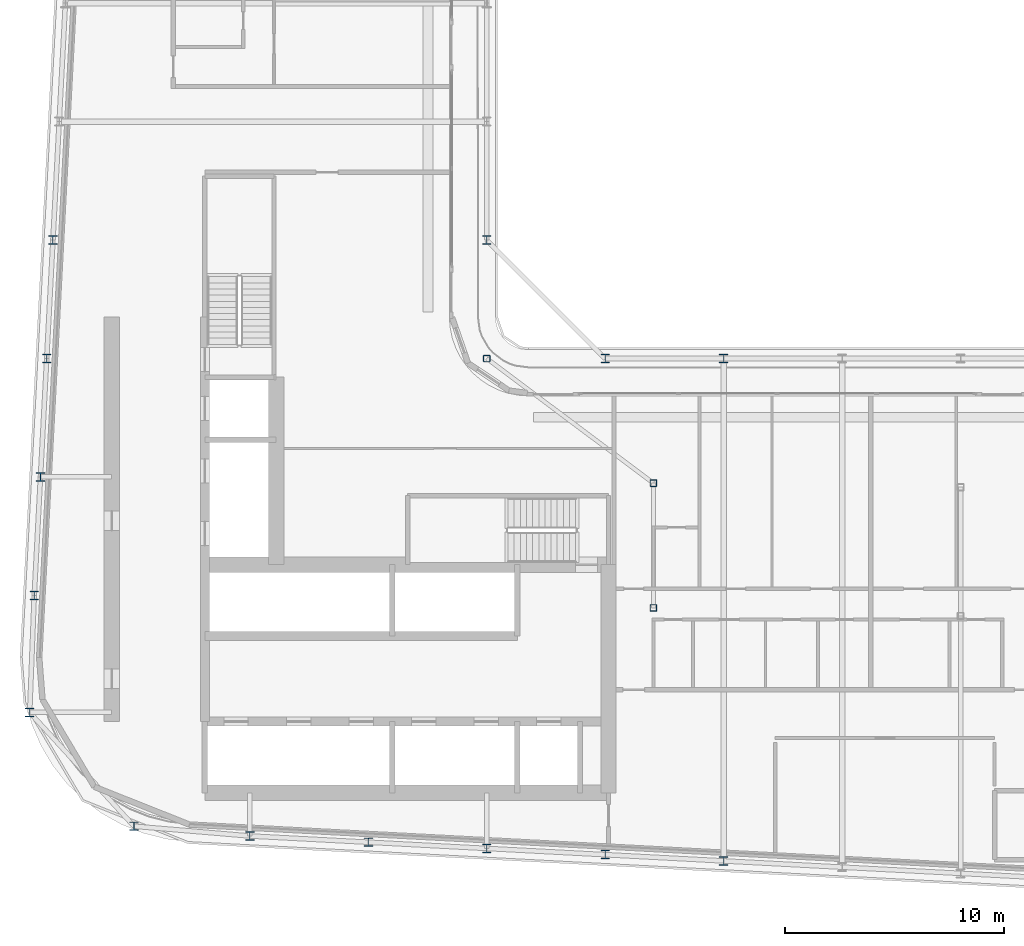
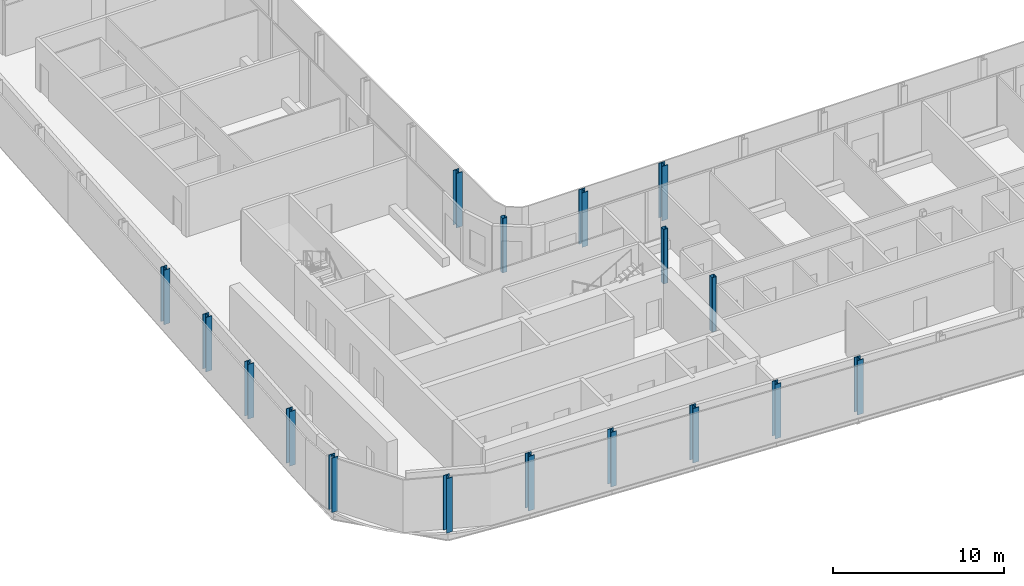
# One storey, part 1 of 21: 17 columns.
"""IFC4 building model written with IfcOpenShell, lengths in metres."""

from ifc_helpers import new_model, si_unit, direction, frame, origin, origin_2d, place, context, subcontext, project, spatial, hollow_rectangle, i_section, extrude, material, material_profile, profile_set, type_object, element, save


model = new_model("IFC4")

# Units and contexts
model_context = context("Model", 3, precision=1e-05, world=origin(), true_north=direction((0.0, 1.0)))
body_context = subcontext(model_context, "Body", "Model", "MODEL_VIEW")
ifc_project = project(units=[si_unit("LENGTHUNIT", "METRE"), si_unit("AREAUNIT", "SQUARE_METRE"), si_unit("VOLUMEUNIT", "CUBIC_METRE"), si_unit("PLANEANGLEUNIT", "RADIAN"), si_unit("MASSUNIT", "GRAM", prefix="KILO")], contexts=[model_context])

# Site, building, storey
site_placement = place(None, origin())
site = spatial("IfcSite", under=ifc_project, at=site_placement, CompositionType="ELEMENT")
building_placement = place(site_placement, origin())
building = spatial("IfcBuilding", under=site, at=building_placement, Name="Kheshtan School and Residences Tower", CompositionType="ELEMENT")
storey_placement = place(building_placement, frame((0.0, 0.0, 231.800048828125)))
storey = spatial("IfcBuildingStorey", under=building, at=storey_placement, Name="L54", CompositionType="ELEMENT", Elevation=231.800048828125)

# Columns
ifc_material_1 = material(Name="Steel ASTM A992 Grade 50", Category="steel")
ifc_material_profile_1 = material_profile(ifc_material_1, i_section(OverallWidth=0.404052734375, OverallDepth=0.406982421875, WebThickness=0.027099609375, FlangeThickness=0.043701171875, FilletRadius=0.01220703125, at=origin_2d()), Name="W360x347")
ifc_profile_set_1 = profile_set([ifc_material_profile_1], Name="Steel ASTM A992 Grade 50")
column_type_1 = type_object("IfcColumnType", Name="Column C4 W360x347 ASTM A992 Grade 50", PredefinedType="COLUMN", material=ifc_profile_set_1)
for number, where, z_axis, x_axis, name in (
    (1, (58.39990234375, 22.695068359375, 0.0), (0.0, 0.0, 1.0), (1.0, 0.0, 0.0), "Column C018"),
    (2, (53.0, 22.97998046875, 0.0), (0.0, 0.0, 1.0), (1.0, 0.0, 0.0), "Column C019"),
    (3, (47.60009765625, 23.263916015625, 0.0), (0.0, 0.0, 1.0), (1.0, 0.0, 0.0), "Column C020"),
    (4, (42.199951171875, 23.548095703125, 0.0), (0.0, 0.0, 1.0), (1.0, 0.0, 0.0), "Column C021"),
    (5, (36.800048828125, 23.83203125, 0.0), (0.0, 0.0, 1.0), (1.0, 0.0, 0.0), "Column C022"),
    (6, (31.51806640625, 24.277099609375, 0.0), (0.0, 0.0, 1.0), (1.0, 0.0, 0.0), "Column C029"),
    (7, (26.760986328125, 29.465087890625, 0.0), (0.0, 0.0, 1.0), (1.0, 0.0, 0.0), "Column C042"),
    (8, (26.968994140625, 34.800048828125, 0.0), (0.0, 0.0, 1.0), (1.0, 0.0, 0.0), "Column C052"),
    (9, (27.2529296875, 40.199951171875, 0.0), (0.0, 0.0, 1.0), (1.0, 0.0, 0.0), "Column C056"),
    (10, (27.537109375, 45.60009765625, 0.0), (0.0, 0.0, 1.0), (1.0, 0.0, 0.0), "Column C059"),
    (11, (53.0, 45.60009765625, 0.0), (0.0, 0.0, 1.0), (1.0, 0.0, 0.0), "Column C061"),
    (12, (58.39990234375, 45.60009765625, 0.0), (0.0, 0.0, 1.0), (1.0, 0.0, 0.0), "Column C062"),
    (13, (27.822021484375, 51.0, 0.0), (0.0, 0.0, 1.0), (1.0, 0.0, 0.0), "Column C078"),
    (14, (47.60009765625, 51.0, 0.0), (0.0, 0.0, 1.0), (1.0, 0.0, 0.0), "Column C079"),
):
    element("IfcColumn", number, at=place(storey_placement, frame(where, z_axis=z_axis, x_axis=x_axis)), inside=storey, type_object=column_type_1, Name=name, PredefinedType="COLUMN", context=body_context, shape_type="SweptSolid", body=[
        extrude(i_section(OverallWidth=0.404052734375, OverallDepth=0.406982421875, WebThickness=0.027099609375, FlangeThickness=0.043701171875, FilletRadius=0.01220703125, at=origin_2d()), origin(), (0.0, 0.0, 1.0), 3.89990234375),
    ])
ifc_material_2 = material(Name="Steel ASTM A500 Grade C", Category="steel")
ifc_material_profile_2 = material_profile(ifc_material_2, hollow_rectangle(XDim=0.304931640625, YDim=0.304931640625, WallThickness=0.015869140625, InnerFilletRadius=0.015869140625, OuterFilletRadius=0.03173828125, at=origin_2d()), Name="HSS 305x305x15.9")
ifc_profile_set_2 = profile_set([ifc_material_profile_2], Name="Steel ASTM A500 Grade C")
column_type_2 = type_object("IfcColumnType", Name="Column IC2 HSS 305x305x15.9 ASTM A500 Grade C", PredefinedType="COLUMN", material=ifc_profile_set_2)
for number, where, z_axis, x_axis, name in (
    (15, (55.199951171875, 34.23193359375, 0.0), (0.0, 0.0, 1.0), (1.0, 0.0, 0.0), "Column C051"),
    (16, (55.199951171875, 39.916015625, 0.0), (0.0, 0.0, 1.0), (1.0, 0.0, 0.0), "Column C055"),
    (17, (47.60009765625, 45.60009765625, 0.0), (0.0, 0.0, 1.0), (1.0, 0.0, 0.0), "Column C060"),
):
    element("IfcColumn", number, at=place(storey_placement, frame(where, z_axis=z_axis, x_axis=x_axis)), inside=storey, type_object=column_type_2, Name=name, PredefinedType="COLUMN", context=body_context, shape_type="SweptSolid", body=[
        extrude(hollow_rectangle(XDim=0.304931640625, YDim=0.304931640625, WallThickness=0.015869140625, InnerFilletRadius=0.015869140625, OuterFilletRadius=0.03173828125, at=origin_2d()), origin(), (0.0, 0.0, 1.0), 3.89990234375),
    ])

save(model, "model.ifc")
